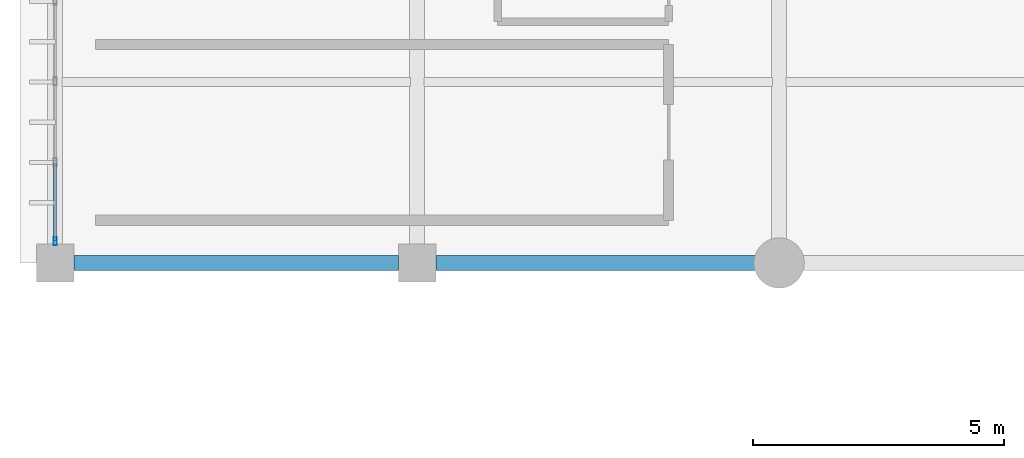
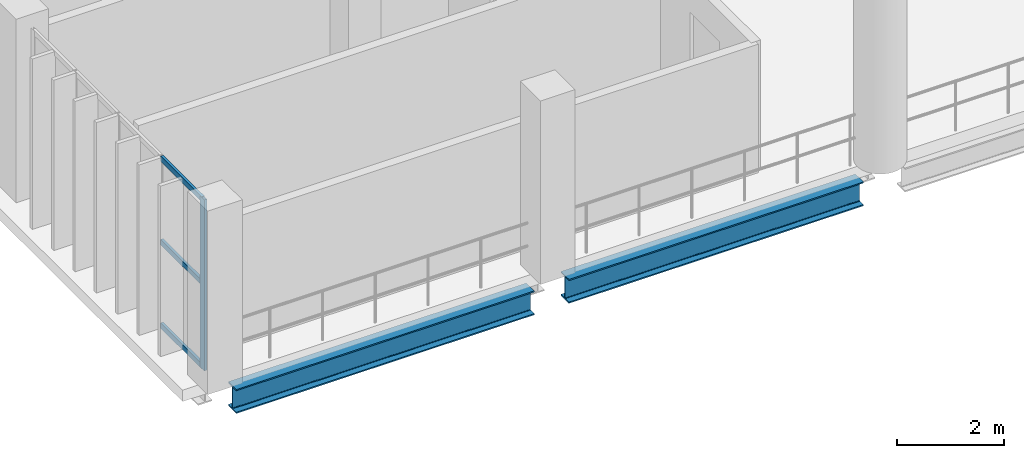
# One storey, part 18 of 130: 4 members, 2 beams, 1 element without a shape of its own.
"""IFC4 building model written with IfcOpenShell, lengths in metres."""

from ifc_helpers import new_model, si_unit, direction, frame, origin, origin_2d, place, context, subcontext, project, spatial, hollow_rectangle, i_section, extrude, material, material_profile, profile_set, type_object, element, aggregate, save


model = new_model("IFC4")

# Units and contexts
model_context = context("Model", 3, precision=1e-05, world=origin(), true_north=direction((0.0, 1.0)))
body_context = subcontext(model_context, "Body", "Model", "MODEL_VIEW")
ifc_project = project(units=[si_unit("LENGTHUNIT", "METRE"), si_unit("AREAUNIT", "SQUARE_METRE"), si_unit("VOLUMEUNIT", "CUBIC_METRE"), si_unit("PLANEANGLEUNIT", "RADIAN"), si_unit("MASSUNIT", "GRAM", prefix="KILO")], contexts=[model_context])

# Site, building, storey
site_placement = place(None, origin())
site = spatial("IfcSite", under=ifc_project, at=site_placement, CompositionType="ELEMENT")
building_placement = place(site_placement, origin())
building = spatial("IfcBuilding", under=site, at=building_placement, Name="Qandorah Velis Arena", CompositionType="ELEMENT")
storey_placement = place(building_placement, frame((0.0, 0.0, 9.60009765625)))
storey = spatial("IfcBuildingStorey", under=building, at=storey_placement, Name="L02", CompositionType="ELEMENT", Elevation=9.60009765625)

# Curtain wall, members
ifc_material_1 = material(Name="Solar-control low-E double glazing", Category="glass")
curtain_wall_type = type_object("IfcCurtainWallType", Name="ARC-CW-SYS11", PredefinedType="USERDEFINED", material=ifc_material_1)
curtain_wall_placement = place(storey_placement, origin())
curtain_wall = element("IfcCurtainWall", 1, at=curtain_wall_placement, inside=storey, type_object=curtain_wall_type, Name="Unitised curtain wall L02-011", ObjectType="UNITISED CURTAIN WALL", PredefinedType="USERDEFINED")
ifc_material_2 = material(Name="Champagne-bronze anodized aluminium 6063-T6", Category="aluminium")
ifc_material_profile_1 = material_profile(ifc_material_2, hollow_rectangle(XDim=0.06005859375, YDim=0.159912109375, WallThickness=0.00341796875, at=origin_2d()), Name="ALU MULLION 60x160")
ifc_profile_set_1 = profile_set([ifc_material_profile_1], Name="Champagne-bronze anodized aluminium 6063-T6")
member_type_1 = type_object("IfcMemberType", Name="ARC-CWM-160", PredefinedType="MULLION", material=ifc_profile_set_1)
member_1_placement = place(storey_placement, frame((0.0, 14.830078125, -0.01513671875), z_axis=(0.0, 0.0, 1.0), x_axis=(-1.0, 0.0, 0.0)))
member_1 = element("IfcMember", 2, at=member_1_placement, type_object=member_type_1, Name="CW11 mullion 1", PredefinedType="MULLION", context=body_context, shape_type="SweptSolid", body=[
    extrude(hollow_rectangle(XDim=0.06005859375, YDim=0.159912109375, WallThickness=0.00341796875, at=origin_2d()), origin(), (0.0, 0.0, 1.0), 3.91015625),
])
ifc_material_profile_2 = material_profile(ifc_material_2, hollow_rectangle(XDim=0.06005859375, YDim=0.1201171875, WallThickness=0.0029296875, at=origin_2d()), Name="ALU TRANSOM 60x120")
ifc_profile_set_2 = profile_set([ifc_material_profile_2], Name="Champagne-bronze anodized aluminium 6063-T6")
member_type_2 = type_object("IfcMemberType", Name="ARC-CWT-120", PredefinedType="USERDEFINED", material=ifc_profile_set_2)
member_2_placement = place(storey_placement, frame((0.0, 14.847900390625, 0.02978515625), z_axis=(0.0, 1.0, 0.0), x_axis=(-1.0, 0.0, 0.0)))
member_2 = element("IfcMember", 3, at=member_2_placement, type_object=member_type_2, Name="CW11 transom 1.1", ObjectType="TRANSOM", PredefinedType="USERDEFINED", context=body_context, shape_type="SweptSolid", body=[
    extrude(hollow_rectangle(XDim=0.06005859375, YDim=0.1201171875, WallThickness=0.0029296875, at=origin_2d()), origin(), (0.0, 0.0, 1.0), 1.540283203125),
])
member_3_placement = place(storey_placement, frame((0.0, 14.847900390625, 1.93994140625), z_axis=(0.0, 1.0, 0.0), x_axis=(-1.0, 0.0, 0.0)))
member_3 = element("IfcMember", 4, at=member_3_placement, type_object=member_type_2, Name="CW11 transom 1.2", ObjectType="TRANSOM", PredefinedType="USERDEFINED", context=body_context, shape_type="SweptSolid", body=[
    extrude(hollow_rectangle(XDim=0.06005859375, YDim=0.1201171875, WallThickness=0.0029296875, at=origin_2d()), origin(), (0.0, 0.0, 1.0), 1.540283203125),
])
member_4_placement = place(storey_placement, frame((0.0, 14.847900390625, 3.849853515625), z_axis=(0.0, 1.0, 0.0), x_axis=(-1.0, 0.0, 0.0)))
member_4 = element("IfcMember", 5, at=member_4_placement, type_object=member_type_2, Name="CW11 transom 1.3", ObjectType="TRANSOM", PredefinedType="USERDEFINED", context=body_context, shape_type="SweptSolid", body=[
    extrude(hollow_rectangle(XDim=0.06005859375, YDim=0.1201171875, WallThickness=0.0029296875, at=origin_2d()), origin(), (0.0, 0.0, 1.0), 1.540283203125),
])
aggregate(curtain_wall, [member_1, member_2, member_3, member_4])

# Beams
ifc_material_3 = material(Name="Steel S355", Category="steel")
ifc_material_profile_3 = material_profile(ifc_material_3, i_section(OverallWidth=0.300048828125, OverallDepth=0.550048828125, WebThickness=0.014892578125, FlangeThickness=0.029052734375, FilletRadius=0.027099609375, at=origin_2d()), Name="HEB 550")
ifc_profile_set_3 = profile_set([ifc_material_profile_3], Name="Steel S355")
beam_type = type_object("IfcBeamType", Name="STR-BM-HEB550", PredefinedType="BEAM", material=ifc_profile_set_3)
beam_1_placement = place(storey_placement, frame((0.375, 14.39990234375, -0.55517578125), z_axis=(1.0, 0.0, 0.0), x_axis=(0.0, 1.0, 0.0)))
element("IfcBeam", 6, at=beam_1_placement, inside=storey, type_object=beam_type, Name="Primary floor girder L02 X-025", PredefinedType="BEAM", context=body_context, shape_type="SweptSolid", body=[
    extrude(i_section(OverallWidth=0.300048828125, OverallDepth=0.550048828125, WebThickness=0.014892578125, FlangeThickness=0.029052734375, FilletRadius=0.027099609375, at=origin_2d()), origin(), (0.0, 0.0, 1.0), 6.449951171875),
])
beam_2_placement = place(storey_placement, frame((7.574951171875, 14.39990234375, -0.55517578125), z_axis=(1.0, 0.0, 0.0), x_axis=(0.0, 1.0, 0.0)))
element("IfcBeam", 7, at=beam_2_placement, inside=storey, type_object=beam_type, Name="Primary floor girder L02 X-026", PredefinedType="BEAM", context=body_context, shape_type="SweptSolid", body=[
    extrude(i_section(OverallWidth=0.300048828125, OverallDepth=0.550048828125, WebThickness=0.014892578125, FlangeThickness=0.029052734375, FilletRadius=0.027099609375, at=origin_2d()), origin(), (0.0, 0.0, 1.0), 6.375),
])

save(model, "model.ifc")
